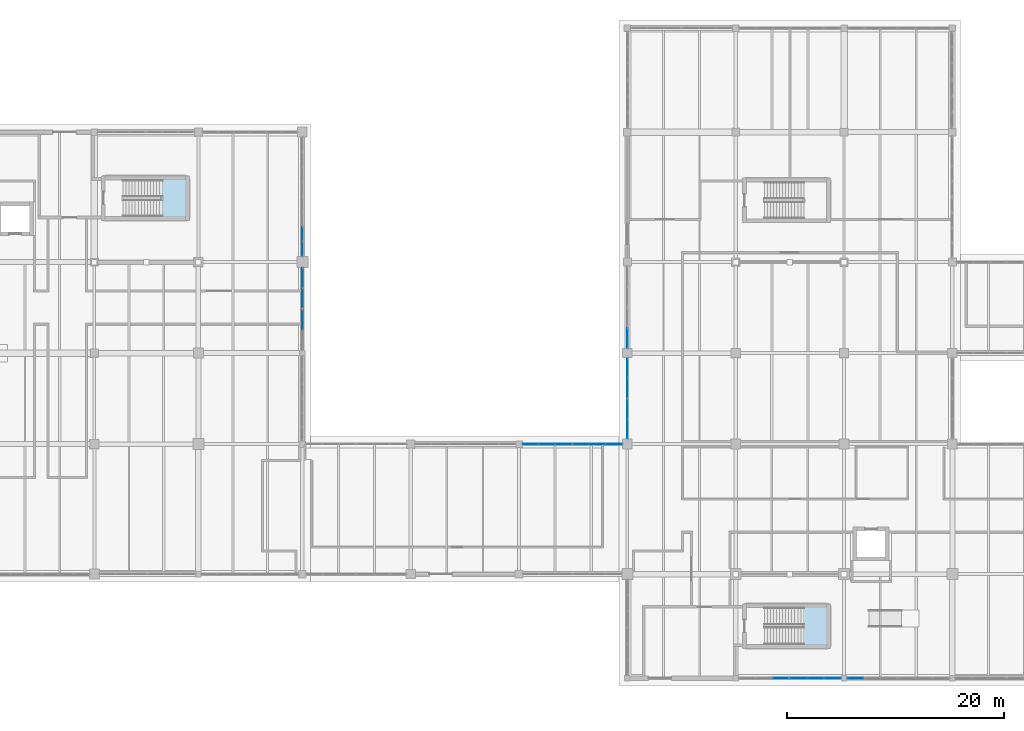
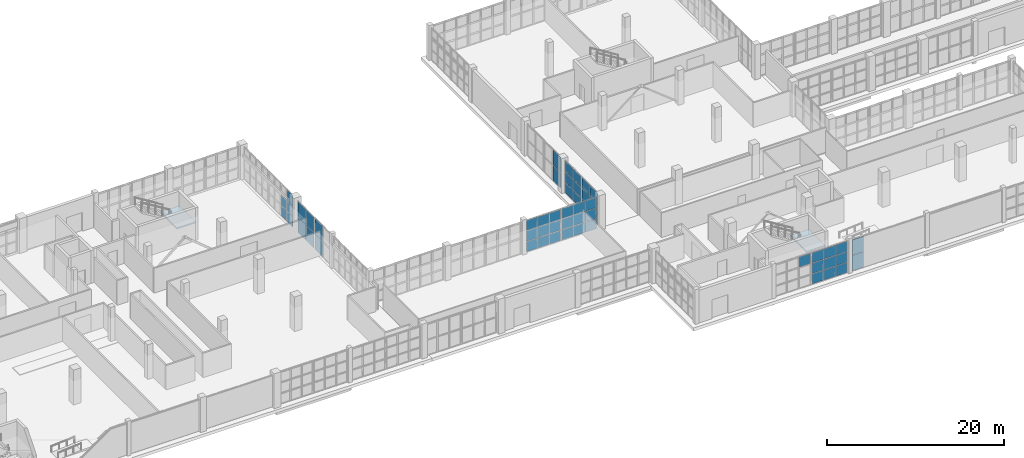
# One storey, part 82 of 121: 55 plates, 2 slabs, 13 elements without a shape of their own.
"""IFC4 building model written with IfcOpenShell, lengths in metres."""

from ifc_helpers import new_model, si_unit, direction, frame, origin, origin_2d, place, context, subcontext, project, spatial, polyline, rectangle, outline, extrude, material, layer, layer_set, type_object, element, aggregate, save


model = new_model("IFC4")

# Units and contexts
model_context = context("Model", 3, precision=1e-05, world=origin(), true_north=direction((0.0, 1.0)))
body_context = subcontext(model_context, "Body", "Model", "MODEL_VIEW")
ifc_project = project(units=[si_unit("LENGTHUNIT", "METRE"), si_unit("AREAUNIT", "SQUARE_METRE"), si_unit("VOLUMEUNIT", "CUBIC_METRE"), si_unit("PLANEANGLEUNIT", "RADIAN"), si_unit("MASSUNIT", "GRAM", prefix="KILO")], contexts=[model_context])

# Site, building, storey
site_placement = place(None, origin())
site = spatial("IfcSite", under=ifc_project, at=site_placement, CompositionType="ELEMENT")
building_placement = place(site_placement, origin())
building = spatial("IfcBuilding", under=site, at=building_placement, Name="Zereglee Splitstone Museum", CompositionType="ELEMENT")
storey_placement = place(building_placement, origin())
storey = spatial("IfcBuildingStorey", under=building, at=storey_placement, Name="L00", CompositionType="ELEMENT", Elevation=0.0)

# Curtain wall, plate
ifc_material_1 = material(Name="Triple-glazed low-E argon glass and bronze-anodised aluminium", Category="aluminium")
ifc_layer_1 = layer(ifc_material_1, 0.179931640625)
ifc_layer_set_1 = layer_set([ifc_layer_1], Name="Triple-glazed low-E argon glass and bronze-anodised aluminium")
curtain_wall_type_1 = type_object("IfcCurtainWallType", Name="CW-0470-444", PredefinedType="USERDEFINED", material=ifc_layer_set_1)
curtain_wall_1_placement = place(storey_placement, origin())
curtain_wall_1 = element("IfcCurtainWall", 1, at=curtain_wall_1_placement, inside=storey, type_object=curtain_wall_type_1, Name="Glazed Curtain Wall CW-0470-444 (L00)", ObjectType="GLAZED CURTAIN WALL", PredefinedType="USERDEFINED")
ifc_material_2 = material(Name="Triple low-e argon insulated safety glass", Category="glass")
ifc_layer_2 = layer(ifc_material_2, 0.035888671875)
ifc_layer_set_2 = layer_set([ifc_layer_2], Name="Triple low-e argon insulated safety glass")
plate_type = type_object("IfcPlateType", Name="CWP-01", PredefinedType="CURTAIN_PANEL", material=ifc_layer_set_2)
plate_1_placement = place(storey_placement, frame((189.360107421875, 0.0, 2.99267578125), z_axis=(0.0, 0.0, 1.0), x_axis=(1.0, 0.0, 0.0)))
plate_1 = element("IfcPlate", 2, at=plate_1_placement, type_object=plate_type, Name="CW-0470-444 panel 3.3", PredefinedType="CURTAIN_PANEL", context=body_context, shape_type="SweptSolid", body=[
    extrude(rectangle(XDim=1.4697265625, YDim=0.035888671875, at=origin_2d()), origin(), (0.0, 0.0, 1.0), 1.382568359375),
])
aggregate(curtain_wall_1, [plate_1])

# Curtain wall, plates
ifc_layer_3 = layer(ifc_material_1, 0.179931640625)
ifc_layer_set_3 = layer_set([ifc_layer_3], Name="Triple-glazed low-E argon glass and bronze-anodised aluminium")
curtain_wall_type_2 = type_object("IfcCurtainWallType", Name="CW-0470-442", PredefinedType="USERDEFINED", material=ifc_layer_set_3)
curtain_wall_2_placement = place(storey_placement, origin())
curtain_wall_2 = element("IfcCurtainWall", 3, at=curtain_wall_2_placement, inside=storey, type_object=curtain_wall_type_2, Name="Glazed Curtain Wall CW-0470-442 (L00)", ObjectType="GLAZED CURTAIN WALL", PredefinedType="USERDEFINED")
plate_2_placement = place(storey_placement, frame((191.039794921875, 0.0, 0.06494140625), z_axis=(0.0, 0.0, 1.0), x_axis=(1.0, 0.0, 0.0)))
plate_2 = element("IfcPlate", 4, at=plate_2_placement, type_object=plate_type, Name="CW-0470-442 panel 1.1", PredefinedType="CURTAIN_PANEL", context=body_context, shape_type="SweptSolid", body=[
    extrude(rectangle(XDim=1.4697265625, YDim=0.035888671875, at=origin_2d()), origin(), (0.0, 0.0, 1.0), 1.375732421875),
])
plate_3_placement = place(storey_placement, frame((191.039794921875, 0.0, 1.505859375), z_axis=(0.0, 0.0, 1.0), x_axis=(1.0, 0.0, 0.0)))
plate_3 = element("IfcPlate", 5, at=plate_3_placement, type_object=plate_type, Name="CW-0470-442 panel 1.2", PredefinedType="CURTAIN_PANEL", context=body_context, shape_type="SweptSolid", body=[
    extrude(rectangle(XDim=1.4697265625, YDim=0.035888671875, at=origin_2d()), origin(), (0.0, 0.0, 1.0), 1.408447265625),
])
plate_4_placement = place(storey_placement, frame((191.039794921875, 0.0, 2.97900390625), z_axis=(0.0, 0.0, 1.0), x_axis=(1.0, 0.0, 0.0)))
plate_4 = element("IfcPlate", 6, at=plate_4_placement, type_object=plate_type, Name="CW-0470-442 panel 1.3", PredefinedType="CURTAIN_PANEL", context=body_context, shape_type="SweptSolid", body=[
    extrude(rectangle(XDim=1.4697265625, YDim=0.035888671875, at=origin_2d()), origin(), (0.0, 0.0, 1.0), 1.375732421875),
])
plate_5_placement = place(storey_placement, frame((192.591064453125, 0.0, 0.06494140625), z_axis=(0.0, 0.0, 1.0), x_axis=(1.0, 0.0, 0.0)))
plate_5 = element("IfcPlate", 7, at=plate_5_placement, type_object=plate_type, Name="CW-0470-442 panel 2.1", PredefinedType="CURTAIN_PANEL", context=body_context, shape_type="SweptSolid", body=[
    extrude(rectangle(XDim=1.50244140625, YDim=0.035888671875, at=origin_2d()), origin(), (0.0, 0.0, 1.0), 1.375732421875),
])
plate_6_placement = place(storey_placement, frame((192.591064453125, 0.0, 1.505859375), z_axis=(0.0, 0.0, 1.0), x_axis=(1.0, 0.0, 0.0)))
plate_6 = element("IfcPlate", 8, at=plate_6_placement, type_object=plate_type, Name="CW-0470-442 panel 2.2", PredefinedType="CURTAIN_PANEL", context=body_context, shape_type="SweptSolid", body=[
    extrude(rectangle(XDim=1.50244140625, YDim=0.035888671875, at=origin_2d()), origin(), (0.0, 0.0, 1.0), 1.408447265625),
])
plate_7_placement = place(storey_placement, frame((192.591064453125, 0.0, 2.97900390625), z_axis=(0.0, 0.0, 1.0), x_axis=(1.0, 0.0, 0.0)))
plate_7 = element("IfcPlate", 9, at=plate_7_placement, type_object=plate_type, Name="CW-0470-442 panel 2.3", PredefinedType="CURTAIN_PANEL", context=body_context, shape_type="SweptSolid", body=[
    extrude(rectangle(XDim=1.50244140625, YDim=0.035888671875, at=origin_2d()), origin(), (0.0, 0.0, 1.0), 1.375732421875),
])
plate_8_placement = place(storey_placement, frame((194.14208984375, 0.0, 0.06494140625), z_axis=(0.0, 0.0, 1.0), x_axis=(1.0, 0.0, 0.0)))
plate_8 = element("IfcPlate", 10, at=plate_8_placement, type_object=plate_type, Name="CW-0470-442 panel 3.1", PredefinedType="CURTAIN_PANEL", context=body_context, shape_type="SweptSolid", body=[
    extrude(rectangle(XDim=1.4697265625, YDim=0.035888671875, at=origin_2d()), origin(), (0.0, 0.0, 1.0), 1.375732421875),
])
plate_9_placement = place(storey_placement, frame((194.14208984375, 0.0, 1.505859375), z_axis=(0.0, 0.0, 1.0), x_axis=(1.0, 0.0, 0.0)))
plate_9 = element("IfcPlate", 11, at=plate_9_placement, type_object=plate_type, Name="CW-0470-442 panel 3.2", PredefinedType="CURTAIN_PANEL", context=body_context, shape_type="SweptSolid", body=[
    extrude(rectangle(XDim=1.4697265625, YDim=0.035888671875, at=origin_2d()), origin(), (0.0, 0.0, 1.0), 1.408447265625),
])
plate_10_placement = place(storey_placement, frame((194.14208984375, 0.0, 2.97900390625), z_axis=(0.0, 0.0, 1.0), x_axis=(1.0, 0.0, 0.0)))
plate_10 = element("IfcPlate", 12, at=plate_10_placement, type_object=plate_type, Name="CW-0470-442 panel 3.3", PredefinedType="CURTAIN_PANEL", context=body_context, shape_type="SweptSolid", body=[
    extrude(rectangle(XDim=1.4697265625, YDim=0.035888671875, at=origin_2d()), origin(), (0.0, 0.0, 1.0), 1.375732421875),
])
aggregate(curtain_wall_2, [plate_2, plate_3, plate_4, plate_5, plate_6, plate_7, plate_8, plate_9, plate_10])

ifc_layer_4 = layer(ifc_material_1, 0.179931640625)
ifc_layer_set_4 = layer_set([ifc_layer_4], Name="Triple-glazed low-E argon glass and bronze-anodised aluminium")
curtain_wall_type_3 = type_object("IfcCurtainWallType", Name="CW-0470-438", PredefinedType="USERDEFINED", material=ifc_layer_set_4)
curtain_wall_3_placement = place(storey_placement, origin())
curtain_wall_3 = element("IfcCurtainWall", 13, at=curtain_wall_3_placement, inside=storey, type_object=curtain_wall_type_3, Name="Glazed Curtain Wall CW-0470-438 (L00)", ObjectType="GLAZED CURTAIN WALL", PredefinedType="USERDEFINED")
plate_11_placement = place(storey_placement, frame((196.2578125, 0.0, 0.06494140625), z_axis=(0.0, 0.0, 1.0), x_axis=(1.0, 0.0, 0.0)))
plate_11 = element("IfcPlate", 14, at=plate_11_placement, type_object=plate_type, Name="CW-0470-438 panel 1.1", PredefinedType="CURTAIN_PANEL", context=body_context, shape_type="SweptSolid", body=[
    extrude(rectangle(XDim=1.4697265625, YDim=0.035888671875, at=origin_2d()), origin(), (0.0, 0.0, 1.0), 2.092529296875),
])
plate_12_placement = place(storey_placement, frame((196.2578125, 0.0, 2.22265625), z_axis=(0.0, 0.0, 1.0), x_axis=(1.0, 0.0, 0.0)))
plate_12 = element("IfcPlate", 15, at=plate_12_placement, type_object=plate_type, Name="CW-0470-438 panel 1.2", PredefinedType="CURTAIN_PANEL", context=body_context, shape_type="SweptSolid", body=[
    extrude(rectangle(XDim=1.4697265625, YDim=0.035888671875, at=origin_2d()), origin(), (0.0, 0.0, 1.0), 2.092529296875),
])
aggregate(curtain_wall_3, [plate_11, plate_12])

ifc_layer_5 = layer(ifc_material_1, 0.179931640625)
ifc_layer_set_5 = layer_set([ifc_layer_5], Name="Triple-glazed low-E argon glass and bronze-anodised aluminium")
curtain_wall_type_4 = type_object("IfcCurtainWallType", Name="CW-0375-436", PredefinedType="USERDEFINED", material=ifc_layer_set_5)
curtain_wall_4_placement = place(storey_placement, origin())
curtain_wall_4 = element("IfcCurtainWall", 16, at=curtain_wall_4_placement, inside=storey, type_object=curtain_wall_type_4, Name="Glazed Curtain Wall CW-0375-436 (L00)", ObjectType="GLAZED CURTAIN WALL", PredefinedType="USERDEFINED")
plate_13_placement = place(storey_placement, frame((175.199951171875, 31.38720703125, 0.06494140625), z_axis=(0.0, 0.0, 1.0), x_axis=(0.0, -1.0, 0.0)))
plate_13 = element("IfcPlate", 17, at=plate_13_placement, type_object=plate_type, Name="CW-0375-436 panel 2.1", PredefinedType="CURTAIN_PANEL", context=body_context, shape_type="SweptSolid", body=[
    extrude(rectangle(XDim=1.778564453125, YDim=0.035888671875, at=origin_2d()), origin(), (0.0, 0.0, 1.0), 2.08251953125),
])
plate_14_placement = place(storey_placement, frame((175.199951171875, 31.38720703125, 2.21240234375), z_axis=(0.0, 0.0, 1.0), x_axis=(0.0, -1.0, 0.0)))
plate_14 = element("IfcPlate", 18, at=plate_14_placement, type_object=plate_type, Name="CW-0375-436 panel 2.2", PredefinedType="CURTAIN_PANEL", context=body_context, shape_type="SweptSolid", body=[
    extrude(rectangle(XDim=1.778564453125, YDim=0.035888671875, at=origin_2d()), origin(), (0.0, 0.0, 1.0), 2.08251953125),
])
aggregate(curtain_wall_4, [plate_13, plate_14])

ifc_layer_6 = layer(ifc_material_1, 0.179931640625)
ifc_layer_set_6 = layer_set([ifc_layer_6], Name="Triple-glazed low-E argon glass and bronze-anodised aluminium")
curtain_wall_type_5 = type_object("IfcCurtainWallType", Name="CW-0371-450", PredefinedType="USERDEFINED", material=ifc_layer_set_6)
curtain_wall_5_placement = place(storey_placement, origin())
curtain_wall_5 = element("IfcCurtainWall", 19, at=curtain_wall_5_placement, inside=storey, type_object=curtain_wall_type_5, Name="Glazed Curtain Wall CW-0371-450 (L00)", ObjectType="GLAZED CURTAIN WALL", PredefinedType="USERDEFINED")
plate_15_placement = place(storey_placement, frame((175.199951171875, 28.6220703125, 0.06494140625), z_axis=(0.0, 0.0, 1.0), x_axis=(0.0, -1.0, 0.0)))
plate_15 = element("IfcPlate", 20, at=plate_15_placement, type_object=plate_type, Name="CW-0371-450 panel 1.1", PredefinedType="CURTAIN_PANEL", context=body_context, shape_type="SweptSolid", body=[
    extrude(rectangle(XDim=1.759765625, YDim=0.035888671875, at=origin_2d()), origin(), (0.0, 0.0, 1.0), 1.402587890625),
])
plate_16_placement = place(storey_placement, frame((175.199951171875, 28.6220703125, 1.532470703125), z_axis=(0.0, 0.0, 1.0), x_axis=(0.0, -1.0, 0.0)))
plate_16 = element("IfcPlate", 21, at=plate_16_placement, type_object=plate_type, Name="CW-0371-450 panel 1.2", PredefinedType="CURTAIN_PANEL", context=body_context, shape_type="SweptSolid", body=[
    extrude(rectangle(XDim=1.759765625, YDim=0.035888671875, at=origin_2d()), origin(), (0.0, 0.0, 1.0), 1.43505859375),
])
plate_17_placement = place(storey_placement, frame((175.199951171875, 28.6220703125, 3.0322265625), z_axis=(0.0, 0.0, 1.0), x_axis=(0.0, -1.0, 0.0)))
plate_17 = element("IfcPlate", 22, at=plate_17_placement, type_object=plate_type, Name="CW-0371-450 panel 1.3", PredefinedType="CURTAIN_PANEL", context=body_context, shape_type="SweptSolid", body=[
    extrude(rectangle(XDim=1.759765625, YDim=0.035888671875, at=origin_2d()), origin(), (0.0, 0.0, 1.0), 1.402587890625),
])
plate_18_placement = place(storey_placement, frame((175.199951171875, 26.79736328125, 0.06494140625), z_axis=(0.0, 0.0, 1.0), x_axis=(0.0, -1.0, 0.0)))
plate_18 = element("IfcPlate", 23, at=plate_18_placement, type_object=plate_type, Name="CW-0371-450 panel 2.1", PredefinedType="CURTAIN_PANEL", context=body_context, shape_type="SweptSolid", body=[
    extrude(rectangle(XDim=1.759765625, YDim=0.035888671875, at=origin_2d()), origin(), (0.0, 0.0, 1.0), 1.402587890625),
])
plate_19_placement = place(storey_placement, frame((175.199951171875, 26.79736328125, 1.532470703125), z_axis=(0.0, 0.0, 1.0), x_axis=(0.0, -1.0, 0.0)))
plate_19 = element("IfcPlate", 24, at=plate_19_placement, type_object=plate_type, Name="CW-0371-450 panel 2.2", PredefinedType="CURTAIN_PANEL", context=body_context, shape_type="SweptSolid", body=[
    extrude(rectangle(XDim=1.759765625, YDim=0.035888671875, at=origin_2d()), origin(), (0.0, 0.0, 1.0), 1.43505859375),
])
plate_20_placement = place(storey_placement, frame((175.199951171875, 26.79736328125, 3.0322265625), z_axis=(0.0, 0.0, 1.0), x_axis=(0.0, -1.0, 0.0)))
plate_20 = element("IfcPlate", 25, at=plate_20_placement, type_object=plate_type, Name="CW-0371-450 panel 2.3", PredefinedType="CURTAIN_PANEL", context=body_context, shape_type="SweptSolid", body=[
    extrude(rectangle(XDim=1.759765625, YDim=0.035888671875, at=origin_2d()), origin(), (0.0, 0.0, 1.0), 1.402587890625),
])
aggregate(curtain_wall_5, [plate_15, plate_16, plate_17, plate_18, plate_19, plate_20])

ifc_layer_7 = layer(ifc_material_1, 0.179931640625)
ifc_layer_set_7 = layer_set([ifc_layer_7], Name="Triple-glazed low-E argon glass and bronze-anodised aluminium")
curtain_wall_type_6 = type_object("IfcCurtainWallType", Name="CW-0371-448", PredefinedType="USERDEFINED", material=ifc_layer_set_7)
curtain_wall_6_placement = place(storey_placement, origin())
curtain_wall_6 = element("IfcCurtainWall", 26, at=curtain_wall_6_placement, inside=storey, type_object=curtain_wall_type_6, Name="Glazed Curtain Wall CW-0371-448 (L00)", ObjectType="GLAZED CURTAIN WALL", PredefinedType="USERDEFINED")
plate_21_placement = place(storey_placement, frame((175.199951171875, 24.82763671875, 0.06494140625), z_axis=(0.0, 0.0, 1.0), x_axis=(0.0, -1.0, 0.0)))
plate_21 = element("IfcPlate", 27, at=plate_21_placement, type_object=plate_type, Name="CW-0371-448 panel 1.1", PredefinedType="CURTAIN_PANEL", context=body_context, shape_type="SweptSolid", body=[
    extrude(rectangle(XDim=1.759765625, YDim=0.035888671875, at=origin_2d()), origin(), (0.0, 0.0, 1.0), 1.395751953125),
])
plate_22_placement = place(storey_placement, frame((175.199951171875, 24.82763671875, 1.52587890625), z_axis=(0.0, 0.0, 1.0), x_axis=(0.0, -1.0, 0.0)))
plate_22 = element("IfcPlate", 28, at=plate_22_placement, type_object=plate_type, Name="CW-0371-448 panel 1.2", PredefinedType="CURTAIN_PANEL", context=body_context, shape_type="SweptSolid", body=[
    extrude(rectangle(XDim=1.759765625, YDim=0.035888671875, at=origin_2d()), origin(), (0.0, 0.0, 1.0), 1.428466796875),
])
plate_23_placement = place(storey_placement, frame((175.199951171875, 24.82763671875, 3.01904296875), z_axis=(0.0, 0.0, 1.0), x_axis=(0.0, -1.0, 0.0)))
plate_23 = element("IfcPlate", 29, at=plate_23_placement, type_object=plate_type, Name="CW-0371-448 panel 1.3", PredefinedType="CURTAIN_PANEL", context=body_context, shape_type="SweptSolid", body=[
    extrude(rectangle(XDim=1.759765625, YDim=0.035888671875, at=origin_2d()), origin(), (0.0, 0.0, 1.0), 1.395751953125),
])
plate_24_placement = place(storey_placement, frame((175.199951171875, 23.0029296875, 0.06494140625), z_axis=(0.0, 0.0, 1.0), x_axis=(0.0, -1.0, 0.0)))
plate_24 = element("IfcPlate", 30, at=plate_24_placement, type_object=plate_type, Name="CW-0371-448 panel 2.1", PredefinedType="CURTAIN_PANEL", context=body_context, shape_type="SweptSolid", body=[
    extrude(rectangle(XDim=1.759765625, YDim=0.035888671875, at=origin_2d()), origin(), (0.0, 0.0, 1.0), 1.395751953125),
])
plate_25_placement = place(storey_placement, frame((175.199951171875, 23.0029296875, 1.52587890625), z_axis=(0.0, 0.0, 1.0), x_axis=(0.0, -1.0, 0.0)))
plate_25 = element("IfcPlate", 31, at=plate_25_placement, type_object=plate_type, Name="CW-0371-448 panel 2.2", PredefinedType="CURTAIN_PANEL", context=body_context, shape_type="SweptSolid", body=[
    extrude(rectangle(XDim=1.759765625, YDim=0.035888671875, at=origin_2d()), origin(), (0.0, 0.0, 1.0), 1.428466796875),
])
plate_26_placement = place(storey_placement, frame((175.199951171875, 23.0029296875, 3.01904296875), z_axis=(0.0, 0.0, 1.0), x_axis=(0.0, -1.0, 0.0)))
plate_26 = element("IfcPlate", 32, at=plate_26_placement, type_object=plate_type, Name="CW-0371-448 panel 2.3", PredefinedType="CURTAIN_PANEL", context=body_context, shape_type="SweptSolid", body=[
    extrude(rectangle(XDim=1.759765625, YDim=0.035888671875, at=origin_2d()), origin(), (0.0, 0.0, 1.0), 1.395751953125),
])
aggregate(curtain_wall_6, [plate_21, plate_22, plate_23, plate_24, plate_25, plate_26])

ifc_layer_8 = layer(ifc_material_1, 0.179931640625)
ifc_layer_set_8 = layer_set([ifc_layer_8], Name="Triple-glazed low-E argon glass and bronze-anodised aluminium")
curtain_wall_type_7 = type_object("IfcCurtainWallType", Name="CW-0458-444", PredefinedType="USERDEFINED", material=ifc_layer_set_8)
curtain_wall_7_placement = place(storey_placement, origin())
curtain_wall_7 = element("IfcCurtainWall", 33, at=curtain_wall_7_placement, inside=storey, type_object=curtain_wall_type_7, Name="Glazed Curtain Wall CW-0458-444 (L00)", ObjectType="GLAZED CURTAIN WALL", PredefinedType="USERDEFINED")
plate_27_placement = place(storey_placement, frame((173.962890625, 21.60009765625, 0.06494140625), z_axis=(0.0, 0.0, 1.0), x_axis=(-1.0, 0.0, 0.0)))
plate_27 = element("IfcPlate", 34, at=plate_27_placement, type_object=plate_type, Name="CW-0458-444 panel 1.1", PredefinedType="CURTAIN_PANEL", context=body_context, shape_type="SweptSolid", body=[
    extrude(rectangle(XDim=1.42822265625, YDim=0.035888671875, at=origin_2d()), origin(), (0.0, 0.0, 1.0), 1.382568359375),
])
plate_28_placement = place(storey_placement, frame((173.962890625, 21.60009765625, 1.512451171875), z_axis=(0.0, 0.0, 1.0), x_axis=(-1.0, 0.0, 0.0)))
plate_28 = element("IfcPlate", 35, at=plate_28_placement, type_object=plate_type, Name="CW-0458-444 panel 1.2", PredefinedType="CURTAIN_PANEL", context=body_context, shape_type="SweptSolid", body=[
    extrude(rectangle(XDim=1.42822265625, YDim=0.035888671875, at=origin_2d()), origin(), (0.0, 0.0, 1.0), 1.4150390625),
])
plate_29_placement = place(storey_placement, frame((173.962890625, 21.60009765625, 2.99267578125), z_axis=(0.0, 0.0, 1.0), x_axis=(-1.0, 0.0, 0.0)))
plate_29 = element("IfcPlate", 36, at=plate_29_placement, type_object=plate_type, Name="CW-0458-444 panel 1.3", PredefinedType="CURTAIN_PANEL", context=body_context, shape_type="SweptSolid", body=[
    extrude(rectangle(XDim=1.42822265625, YDim=0.035888671875, at=origin_2d()), origin(), (0.0, 0.0, 1.0), 1.382568359375),
])
plate_30_placement = place(storey_placement, frame((172.45361328125, 21.60009765625, 0.06494140625), z_axis=(0.0, 0.0, 1.0), x_axis=(-1.0, 0.0, 0.0)))
plate_30 = element("IfcPlate", 37, at=plate_30_placement, type_object=plate_type, Name="CW-0458-444 panel 2.1", PredefinedType="CURTAIN_PANEL", context=body_context, shape_type="SweptSolid", body=[
    extrude(rectangle(XDim=1.460693359375, YDim=0.035888671875, at=origin_2d()), origin(), (0.0, 0.0, 1.0), 1.382568359375),
])
plate_31_placement = place(storey_placement, frame((172.45361328125, 21.60009765625, 1.512451171875), z_axis=(0.0, 0.0, 1.0), x_axis=(-1.0, 0.0, 0.0)))
plate_31 = element("IfcPlate", 38, at=plate_31_placement, type_object=plate_type, Name="CW-0458-444 panel 2.2", PredefinedType="CURTAIN_PANEL", context=body_context, shape_type="SweptSolid", body=[
    extrude(rectangle(XDim=1.460693359375, YDim=0.035888671875, at=origin_2d()), origin(), (0.0, 0.0, 1.0), 1.4150390625),
])
plate_32_placement = place(storey_placement, frame((172.45361328125, 21.60009765625, 2.99267578125), z_axis=(0.0, 0.0, 1.0), x_axis=(-1.0, 0.0, 0.0)))
plate_32 = element("IfcPlate", 39, at=plate_32_placement, type_object=plate_type, Name="CW-0458-444 panel 2.3", PredefinedType="CURTAIN_PANEL", context=body_context, shape_type="SweptSolid", body=[
    extrude(rectangle(XDim=1.460693359375, YDim=0.035888671875, at=origin_2d()), origin(), (0.0, 0.0, 1.0), 1.382568359375),
])
plate_33_placement = place(storey_placement, frame((170.944091796875, 21.60009765625, 0.06494140625), z_axis=(0.0, 0.0, 1.0), x_axis=(-1.0, 0.0, 0.0)))
plate_33 = element("IfcPlate", 40, at=plate_33_placement, type_object=plate_type, Name="CW-0458-444 panel 3.1", PredefinedType="CURTAIN_PANEL", context=body_context, shape_type="SweptSolid", body=[
    extrude(rectangle(XDim=1.42822265625, YDim=0.035888671875, at=origin_2d()), origin(), (0.0, 0.0, 1.0), 1.382568359375),
])
plate_34_placement = place(storey_placement, frame((170.944091796875, 21.60009765625, 1.512451171875), z_axis=(0.0, 0.0, 1.0), x_axis=(-1.0, 0.0, 0.0)))
plate_34 = element("IfcPlate", 41, at=plate_34_placement, type_object=plate_type, Name="CW-0458-444 panel 3.2", PredefinedType="CURTAIN_PANEL", context=body_context, shape_type="SweptSolid", body=[
    extrude(rectangle(XDim=1.42822265625, YDim=0.035888671875, at=origin_2d()), origin(), (0.0, 0.0, 1.0), 1.4150390625),
])
plate_35_placement = place(storey_placement, frame((170.944091796875, 21.60009765625, 2.99267578125), z_axis=(0.0, 0.0, 1.0), x_axis=(-1.0, 0.0, 0.0)))
plate_35 = element("IfcPlate", 42, at=plate_35_placement, type_object=plate_type, Name="CW-0458-444 panel 3.3", PredefinedType="CURTAIN_PANEL", context=body_context, shape_type="SweptSolid", body=[
    extrude(rectangle(XDim=1.42822265625, YDim=0.035888671875, at=origin_2d()), origin(), (0.0, 0.0, 1.0), 1.382568359375),
])
aggregate(curtain_wall_7, [plate_27, plate_28, plate_29, plate_30, plate_31, plate_32, plate_33, plate_34, plate_35])

ifc_layer_9 = layer(ifc_material_1, 0.179931640625)
ifc_layer_set_9 = layer_set([ifc_layer_9], Name="Triple-glazed low-E argon glass and bronze-anodised aluminium")
curtain_wall_type_8 = type_object("IfcCurtainWallType", Name="CW-0458-442", PredefinedType="USERDEFINED", material=ifc_layer_set_9)
curtain_wall_8_placement = place(storey_placement, origin())
curtain_wall_8 = element("IfcCurtainWall", 43, at=curtain_wall_8_placement, inside=storey, type_object=curtain_wall_type_8, Name="Glazed Curtain Wall CW-0458-442 (L00)", ObjectType="GLAZED CURTAIN WALL", PredefinedType="USERDEFINED")
plate_36_placement = place(storey_placement, frame((169.305908203125, 21.60009765625, 0.06494140625), z_axis=(0.0, 0.0, 1.0), x_axis=(-1.0, 0.0, 0.0)))
plate_36 = element("IfcPlate", 44, at=plate_36_placement, type_object=plate_type, Name="CW-0458-442 panel 1.1", PredefinedType="CURTAIN_PANEL", context=body_context, shape_type="SweptSolid", body=[
    extrude(rectangle(XDim=1.42822265625, YDim=0.035888671875, at=origin_2d()), origin(), (0.0, 0.0, 1.0), 1.375732421875),
])
plate_37_placement = place(storey_placement, frame((169.305908203125, 21.60009765625, 1.505859375), z_axis=(0.0, 0.0, 1.0), x_axis=(-1.0, 0.0, 0.0)))
plate_37 = element("IfcPlate", 45, at=plate_37_placement, type_object=plate_type, Name="CW-0458-442 panel 1.2", PredefinedType="CURTAIN_PANEL", context=body_context, shape_type="SweptSolid", body=[
    extrude(rectangle(XDim=1.42822265625, YDim=0.035888671875, at=origin_2d()), origin(), (0.0, 0.0, 1.0), 1.408447265625),
])
plate_38_placement = place(storey_placement, frame((169.305908203125, 21.60009765625, 2.97900390625), z_axis=(0.0, 0.0, 1.0), x_axis=(-1.0, 0.0, 0.0)))
plate_38 = element("IfcPlate", 46, at=plate_38_placement, type_object=plate_type, Name="CW-0458-442 panel 1.3", PredefinedType="CURTAIN_PANEL", context=body_context, shape_type="SweptSolid", body=[
    extrude(rectangle(XDim=1.42822265625, YDim=0.035888671875, at=origin_2d()), origin(), (0.0, 0.0, 1.0), 1.375732421875),
])
plate_39_placement = place(storey_placement, frame((167.79638671875, 21.60009765625, 0.06494140625), z_axis=(0.0, 0.0, 1.0), x_axis=(-1.0, 0.0, 0.0)))
plate_39 = element("IfcPlate", 47, at=plate_39_placement, type_object=plate_type, Name="CW-0458-442 panel 2.1", PredefinedType="CURTAIN_PANEL", context=body_context, shape_type="SweptSolid", body=[
    extrude(rectangle(XDim=1.460693359375, YDim=0.035888671875, at=origin_2d()), origin(), (0.0, 0.0, 1.0), 1.375732421875),
])
plate_40_placement = place(storey_placement, frame((167.79638671875, 21.60009765625, 1.505859375), z_axis=(0.0, 0.0, 1.0), x_axis=(-1.0, 0.0, 0.0)))
plate_40 = element("IfcPlate", 48, at=plate_40_placement, type_object=plate_type, Name="CW-0458-442 panel 2.2", PredefinedType="CURTAIN_PANEL", context=body_context, shape_type="SweptSolid", body=[
    extrude(rectangle(XDim=1.460693359375, YDim=0.035888671875, at=origin_2d()), origin(), (0.0, 0.0, 1.0), 1.408447265625),
])
plate_41_placement = place(storey_placement, frame((167.79638671875, 21.60009765625, 2.97900390625), z_axis=(0.0, 0.0, 1.0), x_axis=(-1.0, 0.0, 0.0)))
plate_41 = element("IfcPlate", 49, at=plate_41_placement, type_object=plate_type, Name="CW-0458-442 panel 2.3", PredefinedType="CURTAIN_PANEL", context=body_context, shape_type="SweptSolid", body=[
    extrude(rectangle(XDim=1.460693359375, YDim=0.035888671875, at=origin_2d()), origin(), (0.0, 0.0, 1.0), 1.375732421875),
])
plate_42_placement = place(storey_placement, frame((166.287109375, 21.60009765625, 0.06494140625), z_axis=(0.0, 0.0, 1.0), x_axis=(-1.0, 0.0, 0.0)))
plate_42 = element("IfcPlate", 50, at=plate_42_placement, type_object=plate_type, Name="CW-0458-442 panel 3.1", PredefinedType="CURTAIN_PANEL", context=body_context, shape_type="SweptSolid", body=[
    extrude(rectangle(XDim=1.42822265625, YDim=0.035888671875, at=origin_2d()), origin(), (0.0, 0.0, 1.0), 1.375732421875),
])
plate_43_placement = place(storey_placement, frame((166.287109375, 21.60009765625, 1.505859375), z_axis=(0.0, 0.0, 1.0), x_axis=(-1.0, 0.0, 0.0)))
plate_43 = element("IfcPlate", 51, at=plate_43_placement, type_object=plate_type, Name="CW-0458-442 panel 3.2", PredefinedType="CURTAIN_PANEL", context=body_context, shape_type="SweptSolid", body=[
    extrude(rectangle(XDim=1.42822265625, YDim=0.035888671875, at=origin_2d()), origin(), (0.0, 0.0, 1.0), 1.408447265625),
])
plate_44_placement = place(storey_placement, frame((166.287109375, 21.60009765625, 2.97900390625), z_axis=(0.0, 0.0, 1.0), x_axis=(-1.0, 0.0, 0.0)))
plate_44 = element("IfcPlate", 52, at=plate_44_placement, type_object=plate_type, Name="CW-0458-442 panel 3.3", PredefinedType="CURTAIN_PANEL", context=body_context, shape_type="SweptSolid", body=[
    extrude(rectangle(XDim=1.42822265625, YDim=0.035888671875, at=origin_2d()), origin(), (0.0, 0.0, 1.0), 1.375732421875),
])
aggregate(curtain_wall_8, [plate_36, plate_37, plate_38, plate_39, plate_40, plate_41, plate_42, plate_43, plate_44])

ifc_layer_10 = layer(ifc_material_1, 0.179931640625)
ifc_layer_set_10 = layer_set([ifc_layer_10], Name="Triple-glazed low-E argon glass and bronze-anodised aluminium")
curtain_wall_type_9 = type_object("IfcCurtainWallType", Name="CW-0378-438", PredefinedType="USERDEFINED", material=ifc_layer_set_10)
curtain_wall_9_placement = place(storey_placement, origin())
curtain_wall_9 = element("IfcCurtainWall", 53, at=curtain_wall_9_placement, inside=storey, type_object=curtain_wall_type_9, Name="Glazed Curtain Wall CW-0378-438 (L00)", ObjectType="GLAZED CURTAIN WALL", PredefinedType="USERDEFINED")
plate_45_placement = place(storey_placement, frame((145.199951171875, 33.074462890625, 0.06494140625), z_axis=(0.0, 0.0, 1.0), x_axis=(0.0, 1.0, 0.0)))
plate_45 = element("IfcPlate", 54, at=plate_45_placement, type_object=plate_type, Name="CW-0378-438 panel 2.1", PredefinedType="CURTAIN_PANEL", context=body_context, shape_type="SweptSolid", body=[
    extrude(rectangle(XDim=1.791015625, YDim=0.035888671875, at=origin_2d()), origin(), (0.0, 0.0, 1.0), 2.092529296875),
])
plate_46_placement = place(storey_placement, frame((145.199951171875, 33.074462890625, 2.22265625), z_axis=(0.0, 0.0, 1.0), x_axis=(0.0, 1.0, 0.0)))
plate_46 = element("IfcPlate", 55, at=plate_46_placement, type_object=plate_type, Name="CW-0378-438 panel 2.2", PredefinedType="CURTAIN_PANEL", context=body_context, shape_type="SweptSolid", body=[
    extrude(rectangle(XDim=1.791015625, YDim=0.035888671875, at=origin_2d()), origin(), (0.0, 0.0, 1.0), 2.092529296875),
])
aggregate(curtain_wall_9, [plate_45, plate_46])

ifc_layer_11 = layer(ifc_material_1, 0.179931640625)
ifc_layer_set_11 = layer_set([ifc_layer_11], Name="Triple-glazed low-E argon glass and bronze-anodised aluminium")
curtain_wall_type_10 = type_object("IfcCurtainWallType", Name="CW-0378-436", PredefinedType="USERDEFINED", material=ifc_layer_set_11)
curtain_wall_10_placement = place(storey_placement, origin())
curtain_wall_10 = element("IfcCurtainWall", 56, at=curtain_wall_10_placement, inside=storey, type_object=curtain_wall_type_10, Name="Glazed Curtain Wall CW-0378-436 (L00)", ObjectType="GLAZED CURTAIN WALL", PredefinedType="USERDEFINED")
plate_47_placement = place(storey_placement, frame((145.199951171875, 35.075439453125, 0.06494140625), z_axis=(0.0, 0.0, 1.0), x_axis=(0.0, 1.0, 0.0)))
plate_47 = element("IfcPlate", 57, at=plate_47_placement, type_object=plate_type, Name="CW-0378-436 panel 1.1", PredefinedType="CURTAIN_PANEL", context=body_context, shape_type="SweptSolid", body=[
    extrude(rectangle(XDim=1.791015625, YDim=0.035888671875, at=origin_2d()), origin(), (0.0, 0.0, 1.0), 2.08251953125),
])
plate_48_placement = place(storey_placement, frame((145.199951171875, 35.075439453125, 2.21240234375), z_axis=(0.0, 0.0, 1.0), x_axis=(0.0, 1.0, 0.0)))
plate_48 = element("IfcPlate", 58, at=plate_48_placement, type_object=plate_type, Name="CW-0378-436 panel 1.2", PredefinedType="CURTAIN_PANEL", context=body_context, shape_type="SweptSolid", body=[
    extrude(rectangle(XDim=1.791015625, YDim=0.035888671875, at=origin_2d()), origin(), (0.0, 0.0, 1.0), 2.08251953125),
])
plate_49_placement = place(storey_placement, frame((145.199951171875, 36.931396484375, 0.06494140625), z_axis=(0.0, 0.0, 1.0), x_axis=(0.0, 1.0, 0.0)))
plate_49 = element("IfcPlate", 59, at=plate_49_placement, type_object=plate_type, Name="CW-0378-436 panel 2.1", PredefinedType="CURTAIN_PANEL", context=body_context, shape_type="SweptSolid", body=[
    extrude(rectangle(XDim=1.791015625, YDim=0.035888671875, at=origin_2d()), origin(), (0.0, 0.0, 1.0), 2.08251953125),
])
plate_50_placement = place(storey_placement, frame((145.199951171875, 36.931396484375, 2.21240234375), z_axis=(0.0, 0.0, 1.0), x_axis=(0.0, 1.0, 0.0)))
plate_50 = element("IfcPlate", 60, at=plate_50_placement, type_object=plate_type, Name="CW-0378-436 panel 2.2", PredefinedType="CURTAIN_PANEL", context=body_context, shape_type="SweptSolid", body=[
    extrude(rectangle(XDim=1.791015625, YDim=0.035888671875, at=origin_2d()), origin(), (0.0, 0.0, 1.0), 2.08251953125),
])
aggregate(curtain_wall_10, [plate_47, plate_48, plate_49, plate_50])

ifc_layer_12 = layer(ifc_material_1, 0.179931640625)
ifc_layer_set_12 = layer_set([ifc_layer_12], Name="Triple-glazed low-E argon glass and bronze-anodised aluminium")
curtain_wall_type_11 = type_object("IfcCurtainWallType", Name="CW-0548-450", PredefinedType="USERDEFINED", material=ifc_layer_set_12)
curtain_wall_11_placement = place(storey_placement, origin())
curtain_wall_11 = element("IfcCurtainWall", 61, at=curtain_wall_11_placement, inside=storey, type_object=curtain_wall_type_11, Name="Glazed Curtain Wall CW-0548-450 (L00)", ObjectType="GLAZED CURTAIN WALL", PredefinedType="USERDEFINED")
plate_51_placement = place(storey_placement, frame((145.199951171875, 39.60888671875, 0.06494140625), z_axis=(0.0, 0.0, 1.0), x_axis=(0.0, 1.0, 0.0)))
plate_51 = element("IfcPlate", 62, at=plate_51_placement, type_object=plate_type, Name="CW-0548-450 panel 1.1", PredefinedType="CURTAIN_PANEL", context=body_context, shape_type="SweptSolid", body=[
    extrude(rectangle(XDim=1.271728515625, YDim=0.035888671875, at=origin_2d()), origin(), (0.0, 0.0, 1.0), 1.402587890625),
])
plate_52_placement = place(storey_placement, frame((145.199951171875, 39.60888671875, 1.532470703125), z_axis=(0.0, 0.0, 1.0), x_axis=(0.0, 1.0, 0.0)))
plate_52 = element("IfcPlate", 63, at=plate_52_placement, type_object=plate_type, Name="CW-0548-450 panel 1.2", PredefinedType="CURTAIN_PANEL", context=body_context, shape_type="SweptSolid", body=[
    extrude(rectangle(XDim=1.271728515625, YDim=0.035888671875, at=origin_2d()), origin(), (0.0, 0.0, 1.0), 1.43505859375),
])
plate_53_placement = place(storey_placement, frame((145.199951171875, 39.60888671875, 3.0322265625), z_axis=(0.0, 0.0, 1.0), x_axis=(0.0, 1.0, 0.0)))
plate_53 = element("IfcPlate", 64, at=plate_53_placement, type_object=plate_type, Name="CW-0548-450 panel 1.3", PredefinedType="CURTAIN_PANEL", context=body_context, shape_type="SweptSolid", body=[
    extrude(rectangle(XDim=1.271728515625, YDim=0.035888671875, at=origin_2d()), origin(), (0.0, 0.0, 1.0), 1.402587890625),
])
plate_54_placement = place(storey_placement, frame((145.199951171875, 40.9619140625, 0.06494140625), z_axis=(0.0, 0.0, 1.0), x_axis=(0.0, 1.0, 0.0)))
plate_54 = element("IfcPlate", 65, at=plate_54_placement, type_object=plate_type, Name="CW-0548-450 panel 2.1", PredefinedType="CURTAIN_PANEL", context=body_context, shape_type="SweptSolid", body=[
    extrude(rectangle(XDim=1.30419921875, YDim=0.035888671875, at=origin_2d()), origin(), (0.0, 0.0, 1.0), 1.402587890625),
])
plate_55_placement = place(storey_placement, frame((145.199951171875, 40.9619140625, 1.532470703125), z_axis=(0.0, 0.0, 1.0), x_axis=(0.0, 1.0, 0.0)))
plate_55 = element("IfcPlate", 66, at=plate_55_placement, type_object=plate_type, Name="CW-0548-450 panel 2.2", PredefinedType="CURTAIN_PANEL", context=body_context, shape_type="SweptSolid", body=[
    extrude(rectangle(XDim=1.30419921875, YDim=0.035888671875, at=origin_2d()), origin(), (0.0, 0.0, 1.0), 1.43505859375),
])
aggregate(curtain_wall_11, [plate_51, plate_52, plate_53, plate_54, plate_55])

# Stair, slab
ifc_material_3 = material(Name="Concrete C35/45", Category="concrete")
stair_type_1 = type_object("IfcStairType", Name="ST-03A", PredefinedType="HALF_TURN_STAIR", material=ifc_material_3)
stair_1_placement = place(storey_placement, origin())
stair_1 = element("IfcStair", 67, at=stair_1_placement, inside=storey, type_object=stair_type_1, Name="L00 Protected Exit Stair ST-03 A", PredefinedType="HALF_TURN_STAIR")
ifc_layer_13 = layer(ifc_material_3, 0.199951171875)
ifc_layer_set_13 = layer_set([ifc_layer_13], Name="Concrete C35/45")
slab_type_1 = type_object("IfcSlabType", Name="ST-03A", PredefinedType="LANDING", material=ifc_layer_set_13)
slab_1_placement = place(storey_placement, frame((0.0, 0.0, 2.199951171875)))
slab_1 = element("IfcSlab", 68, at=slab_1_placement, type_object=slab_type_1, Name="ST-03A landing 1", PredefinedType="LANDING", context=body_context, shape_type="SweptSolid", body=[
    extrude(outline(polyline([(132.110107421875, 42.4599609375), (134.5400390625, 42.4599609375), (134.5400390625, 46.139892578125), (132.110107421875, 46.139892578125), (132.110107421875, 42.4599609375)])), origin(), (0.0, 0.0, 1.0), 0.199951171875),
])
aggregate(stair_1, [slab_1])

stair_type_2 = type_object("IfcStairType", Name="ST-04A", PredefinedType="HALF_TURN_STAIR", material=ifc_material_3)
stair_2_placement = place(storey_placement, origin())
stair_2 = element("IfcStair", 69, at=stair_2_placement, inside=storey, type_object=stair_type_2, Name="L00 Protected Exit Stair ST-04 A", PredefinedType="HALF_TURN_STAIR")
ifc_layer_14 = layer(ifc_material_3, 0.199951171875)
ifc_layer_set_14 = layer_set([ifc_layer_14], Name="Concrete C35/45")
slab_type_2 = type_object("IfcSlabType", Name="ST-04A", PredefinedType="LANDING", material=ifc_layer_set_14)
slab_2_placement = place(storey_placement, frame((0.0, 0.0, 2.199951171875)))
slab_2 = element("IfcSlab", 70, at=slab_2_placement, type_object=slab_type_2, Name="ST-04A landing 1", PredefinedType="LANDING", context=body_context, shape_type="SweptSolid", body=[
    extrude(outline(polyline([(191.31005859375, 2.9599609375), (193.739990234375, 2.9599609375), (193.739990234375, 6.639892578125), (191.31005859375, 6.639892578125), (191.31005859375, 2.9599609375)])), origin(), (0.0, 0.0, 1.0), 0.199951171875),
])
aggregate(stair_2, [slab_2])

save(model, "model.ifc")
